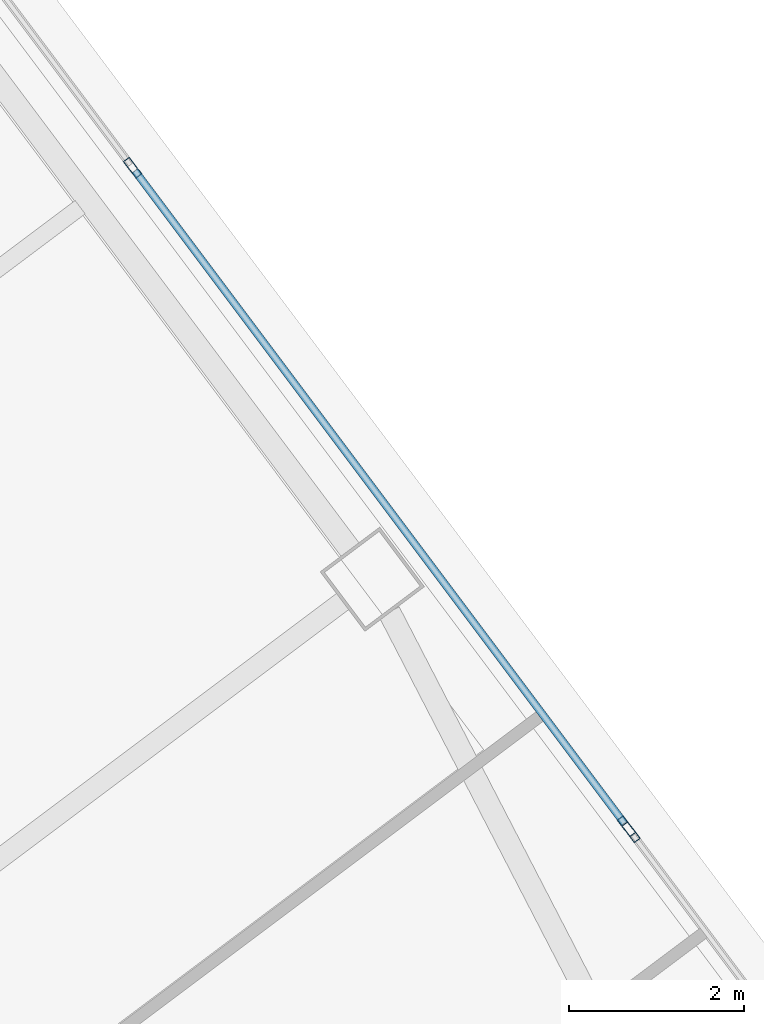
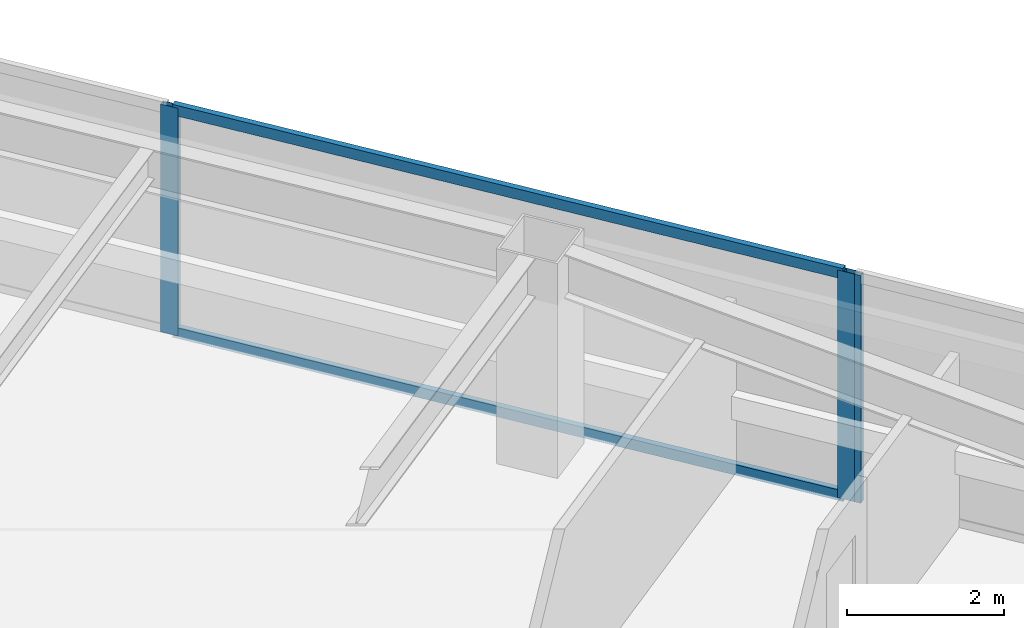
# One storey, part 33 of 48: 5 members, 2 elements without a shape of their own.
"""IFC4 building model written with IfcOpenShell, lengths in metres."""

from ifc_helpers import new_model, si_unit, direction, frame, origin, origin_2d, place, context, subcontext, project, spatial, hollow_rectangle, extrude, material, material_profile, profile_set, type_object, element, aggregate, save


model = new_model("IFC4")

# Units and contexts
model_context = context("Model", 3, precision=1e-05, world=origin(), true_north=direction((0.0, 1.0)))
body_context = subcontext(model_context, "Body", "Model", "MODEL_VIEW")
ifc_project = project(units=[si_unit("LENGTHUNIT", "METRE"), si_unit("AREAUNIT", "SQUARE_METRE"), si_unit("VOLUMEUNIT", "CUBIC_METRE"), si_unit("PLANEANGLEUNIT", "RADIAN"), si_unit("MASSUNIT", "GRAM", prefix="KILO")], contexts=[model_context])

# Site, building, storey
site_placement = place(None, origin())
site = spatial("IfcSite", under=ifc_project, at=site_placement, CompositionType="ELEMENT")
building_placement = place(site_placement, origin())
building = spatial("IfcBuilding", under=site, at=building_placement, Name="Tashvorn Skyway Center", CompositionType="ELEMENT")
storey_placement = place(building_placement, frame((0.0, 0.0, 56.550048828125)))
storey = spatial("IfcBuildingStorey", under=building, at=storey_placement, Name="L14", CompositionType="ELEMENT", Elevation=56.550048828125)

# Curtain wall, members
ifc_material = material(Name="Thermally broken bronze-anodized aluminium 6063-T6", Category="aluminium")
curtain_wall_type = type_object("IfcCurtainWallType", Name="CW-CW-Z1", PredefinedType="NOTDEFINED", material=ifc_material)
curtain_wall_1_placement = place(storey_placement, origin())
curtain_wall_1 = element("IfcCurtainWall", 1, at=curtain_wall_1_placement, inside=storey, type_object=curtain_wall_type, Name="Tower 2 L14 East Unitised Curtain Wall Glazing Group 2", PredefinedType="NOTDEFINED")
ifc_material_profile_1 = material_profile(ifc_material, hollow_rectangle(XDim=0.0849609375, YDim=0.239990234375, WallThickness=0.0048828125, at=origin_2d()), Name="ALU-MULL-85x240")
ifc_profile_set_1 = profile_set([ifc_material_profile_1], Name="Thermally broken bronze-anodized aluminium 6063-T6")
member_type_1 = type_object("IfcMemberType", Name="CWM-CW-Z1", PredefinedType="MULLION", material=ifc_profile_set_1)
member_1_placement = place(storey_placement, frame((131.343994140625, 45.008056640625, 0.0), z_axis=(0.0, 0.0, 1.0), x_axis=(0.799999999998, 0.600000000002, 0.0)))
member_1 = element("IfcMember", 2, at=member_1_placement, type_object=member_type_1, Name="CW-Z1 mullion 2", PredefinedType="MULLION", context=body_context, shape_type="SweptSolid", body=[
    extrude(hollow_rectangle(XDim=0.0849609375, YDim=0.239990234375, WallThickness=0.0048828125, at=origin_2d()), origin(), (0.0, 0.0, 1.0), 3.550048828125),
])
member_2_placement = place(storey_placement, frame((136.982421875, 37.489990234375, 0.0), z_axis=(0.0, 0.0, 1.0), x_axis=(0.799999999998, 0.600000000002, 0.0)))
member_2 = element("IfcMember", 3, at=member_2_placement, type_object=member_type_1, Name="CW-Z1 mullion 3", PredefinedType="MULLION", context=body_context, shape_type="SweptSolid", body=[
    extrude(hollow_rectangle(XDim=0.0849609375, YDim=0.239990234375, WallThickness=0.0048828125, at=origin_2d()), origin(), (0.0, 0.0, 1.0), 3.550048828125),
])

# Curtain wall, member
curtain_wall_2_placement = place(storey_placement, origin())
curtain_wall_2 = element("IfcCurtainWall", 4, at=curtain_wall_2_placement, inside=storey, type_object=curtain_wall_type, Name="Tower 2 L14 East Unitised Curtain Wall Glazing Group 3", PredefinedType="NOTDEFINED")
member_3_placement = place(storey_placement, frame((137.033447265625, 37.422119140625, 0.0), z_axis=(0.0, 0.0, 1.0), x_axis=(0.799996186392, 0.600005084776, 0.0)))
member_3 = element("IfcMember", 5, at=member_3_placement, type_object=member_type_1, Name="CW-Z1 mullion 1", PredefinedType="MULLION", context=body_context, shape_type="SweptSolid", body=[
    extrude(hollow_rectangle(XDim=0.0849609375, YDim=0.239990234375, WallThickness=0.0048828125, at=origin_2d()), origin(), (0.0, 0.0, 1.0), 3.550048828125),
])
aggregate(curtain_wall_2, [member_3])

# Member
ifc_material_profile_2 = material_profile(ifc_material, hollow_rectangle(XDim=0.0849609375, YDim=0.1650390625, WallThickness=0.0048828125, at=origin_2d()), Name="ALU-TRAN-85x165")
ifc_profile_set_2 = profile_set([ifc_material_profile_2], Name="Thermally broken bronze-anodized aluminium 6063-T6")
member_type_2 = type_object("IfcMemberType", Name="CWT-CW-Z1", PredefinedType="USERDEFINED", material=ifc_profile_set_2)
member_4_placement = place(storey_placement, frame((131.369384765625, 44.97412109375, 0.04248046875), z_axis=(0.6, -0.8, 0.0), x_axis=(0.8, 0.6, 0.0)))
member_4 = element("IfcMember", 6, at=member_4_placement, type_object=member_type_2, Name="CW-Z1 transom 2.1", ObjectType="TRANSOM", PredefinedType="USERDEFINED", context=body_context, shape_type="SweptSolid", body=[
    extrude(hollow_rectangle(XDim=0.0849609375, YDim=0.1650390625, WallThickness=0.0048828125, at=origin_2d()), origin(), (0.0, 0.0, 1.0), 9.312744140625),
])

member_5_placement = place(storey_placement, frame((131.369384765625, 44.97412109375, 3.507568359375), z_axis=(0.6, -0.8, 0.0), x_axis=(0.8, 0.6, 0.0)))
member_5 = element("IfcMember", 7, at=member_5_placement, type_object=member_type_2, Name="CW-Z1 transom 2.2", ObjectType="TRANSOM", PredefinedType="USERDEFINED", context=body_context, shape_type="SweptSolid", body=[
    extrude(hollow_rectangle(XDim=0.0849609375, YDim=0.1650390625, WallThickness=0.0048828125, at=origin_2d()), origin(), (0.0, 0.0, 1.0), 9.312744140625),
])

aggregate(curtain_wall_1, [member_1, member_2, member_4, member_5])

save(model, "model.ifc")
